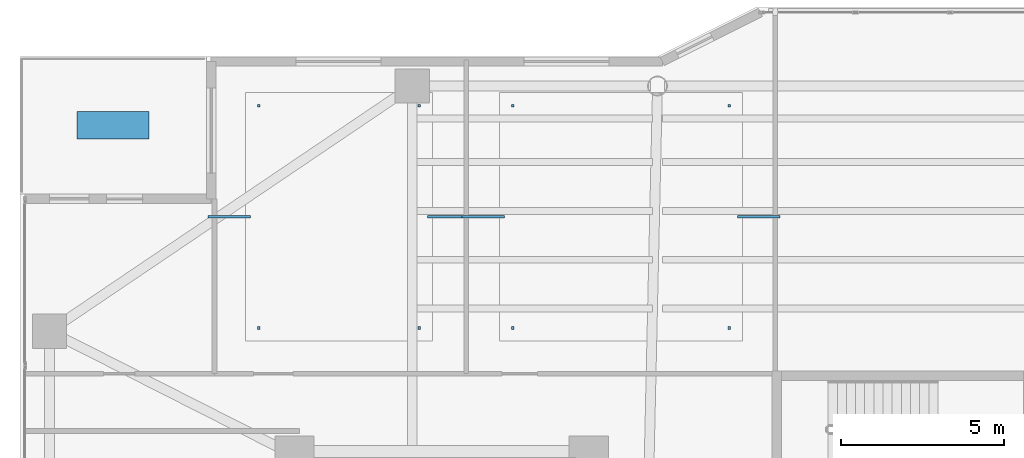
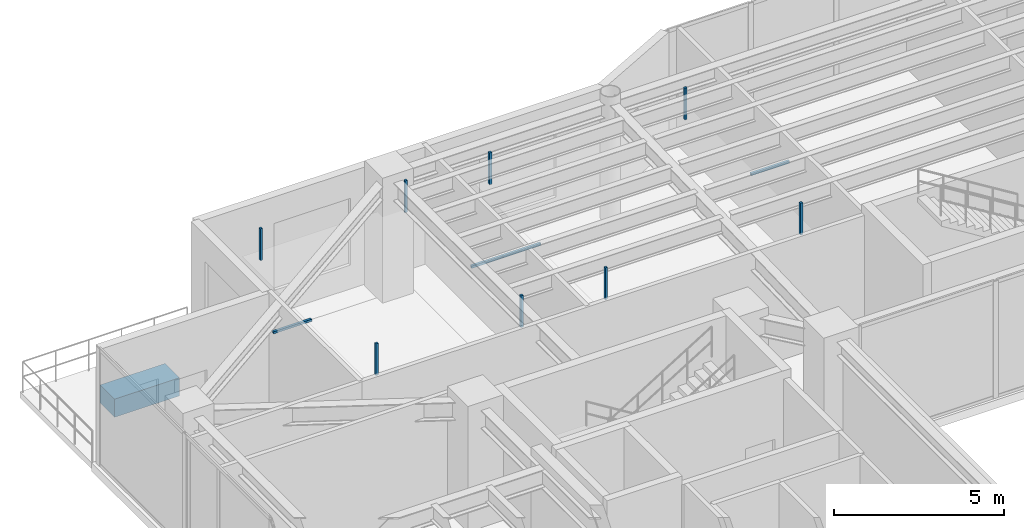
# One storey, part 31 of 37: 13 discrete accessories.
"""IFC4 building model written with IfcOpenShell, lengths in metres."""

import ifcopenshell
import ifcopenshell.guid

model = None  # the IFC model being written
_history = None  # IfcOwnerHistory: only IFC2X3 demands one
_inside = {}  # id of a spatial element -> (the spatial element, [elements in it])
_under = {}  # id of a project, library or spatial element -> (it, [spatial elements below it])
_declared = {}  # id of a project -> (the project, [libraries it declares])
_typed = {}  # id of a type object -> (the type object, [elements of that type])
_made_of = {}  # id of a material, layer set ... -> (it, [elements and type objects made of it])


def new_model(schema):
    """Start an empty IFC model of exactly this schema.

    Asked for "IFC4X3", IfcOpenShell would pick the latest addendum, in which some entities
    have other attributes; the version numbers below select the first issue.
    IFC2X3 requires an IfcOwnerHistory on every rooted entity: one is made here for all.
    """
    global model, _history
    if schema == "IFC4X3":
        model = ifcopenshell.file(schema_version=(4, 3, 0, 0))
    else:
        model = ifcopenshell.file(schema=schema)
    _inside.clear()
    _under.clear()
    _declared.clear()
    _typed.clear()
    _made_of.clear()
    _history = None
    if model.schema == "IFC2X3":
        org = make("IfcOrganization", Name="unknown")
        user = make(
            "IfcPersonAndOrganization",
            ThePerson=make("IfcPerson", FamilyName="unknown"),
            TheOrganization=org,
        )
        app = make(
            "IfcApplication",
            ApplicationDeveloper=org,
            Version="unknown",
            ApplicationFullName="unknown",
            ApplicationIdentifier="unknown",
        )
        _history = make(
            "IfcOwnerHistory",
            OwningUser=user,
            OwningApplication=app,
            ChangeAction="ADDED",
            CreationDate=0,
        )
    return model


def make(cls, **values):
    """One entity of the class cls with the attributes given. An attribute that is None is left unset."""
    return model.create_entity(
        cls, **{name: value for name, value in values.items() if value is not None}
    )


def rooted(cls, **values):
    """An entity with a GlobalId (a new one), such as an element, a storey or a relation."""
    return make(cls, GlobalId=ifcopenshell.guid.new(), OwnerHistory=_history, **values)


def si_unit(unit_type, name, prefix=None):
    """IfcSIUnit, for example si_unit("LENGTHUNIT", "METRE", prefix="MILLI")."""
    return make("IfcSIUnit", UnitType=unit_type, Prefix=prefix, Name=name)


def assignment(units):
    """IfcUnitAssignment: the units of a project."""
    return None if units is None else make("IfcUnitAssignment", Units=units)


def point(xyz):
    """IfcCartesianPoint."""
    return None if xyz is None else make("IfcCartesianPoint", Coordinates=xyz)


def direction(xyz):
    """IfcDirection."""
    return None if xyz is None else make("IfcDirection", DirectionRatios=xyz)


def frame(location, z_axis=None, x_axis=None):
    """IfcAxis2Placement3D, a coordinate frame: its origin and axes. An axis left out is left unset."""
    return make(
        "IfcAxis2Placement3D",
        Location=point(location),
        Axis=direction(z_axis),
        RefDirection=direction(x_axis),
    )


def frame_2d(location, x_axis=None):
    """IfcAxis2Placement2D, a coordinate frame in the plane: its origin and x axis."""
    return make(
        "IfcAxis2Placement2D", Location=point(location), RefDirection=direction(x_axis)
    )


def origin():
    """The frame at (0, 0, 0) with its axes left unset."""
    return frame((0.0, 0.0, 0.0))


def origin_2d():
    """The frame at (0, 0) in the plane with its x axis left unset."""
    return frame_2d((0.0, 0.0))


def place(relative_to, where):
    """IfcLocalPlacement: puts the frame where relative to a parent placement (None: the world)."""
    return make(
        "IfcLocalPlacement", PlacementRelTo=relative_to, RelativePlacement=where
    )


def context(
    kind, dimensions, precision=None, world=None, true_north=None, identifier=None
):
    """IfcGeometricRepresentationContext, for example the 3D "Model" context."""
    return make(
        "IfcGeometricRepresentationContext",
        ContextIdentifier=identifier,
        ContextType=kind,
        CoordinateSpaceDimension=dimensions,
        Precision=precision,
        WorldCoordinateSystem=world,
        TrueNorth=true_north,
    )


def subcontext(parent, identifier, kind, view, scale=None):
    """IfcGeometricRepresentationSubContext, for example "Body" below "Model"."""
    return make(
        "IfcGeometricRepresentationSubContext",
        ContextIdentifier=identifier,
        ContextType=kind,
        ParentContext=parent,
        TargetScale=scale,
        TargetView=view,
    )


def project(units=None, contexts=None):
    """IfcProject with its units and contexts."""
    return rooted(
        "IfcProject",
        Name="project",
        RepresentationContexts=contexts,
        UnitsInContext=assignment(units),
    )


def spatial(cls, under=None, at=None, **own):
    """A site, building, storey or space (cls), placed at a placement, below another one or the project."""
    s = rooted(cls, ObjectPlacement=at, **own)
    if under is not None:
        _under.setdefault(under.id(), (under, []))[1].append(s)
    return s


def profile(cls, at=None, kind="AREA", **sizes):
    """A parametric profile (cls). Its sizes go by their IFC names, for example OverallWidth=200.0."""
    return make(cls, ProfileType=kind, Position=at, **sizes)


def rectangle(**sizes):
    """IfcRectangleProfileDef."""
    return profile("IfcRectangleProfileDef", **sizes)


def extrude(swept, where, along, depth):
    """IfcExtrudedAreaSolid: the profile swept, set in the frame where, extruded along a direction by depth."""
    return make(
        "IfcExtrudedAreaSolid",
        SweptArea=swept,
        Position=where,
        ExtrudedDirection=direction(along),
        Depth=depth,
    )


def shape(context_of_items, identifier, shape_type, items):
    """IfcShapeRepresentation: the items that make up one representation, for example the "Body"."""
    return make(
        "IfcShapeRepresentation",
        ContextOfItems=context_of_items,
        RepresentationIdentifier=identifier,
        RepresentationType=shape_type,
        Items=items,
    )


def material(Name=None, Category=None):
    """IfcMaterial."""
    return make("IfcMaterial", Name=Name, Category=Category)


def made_of(thing, what):
    """Note that an element or type object is made of a material, layer set ...; save() writes the relation."""
    if what is not None:
        _made_of.setdefault(what.id(), (what, []))[1].append(thing)
    return thing


def type_object(cls, material=None, **own):
    """A type object (cls), such as IfcWallType, which elements share."""
    return made_of(rooted(cls, **own), material)


def element(
    cls,
    number,
    at=None,
    inside=None,
    cuts=None,
    type_object=None,
    material=None,
    context=None,
    identifier="Body",
    shape_type=None,
    held_by="IfcProductDefinitionShape",
    body=None,
    shapes=None,
    **own,
):
    """One element of the class cls, such as IfcWall. Its Tag is "e" and its number.

    at: its placement. inside: the storey or other place that contains it. cuts: it is an
    opening in that element (IfcRelVoidsElement). A single representation is given by context,
    identifier, shape_type and body (its items); several are given by shapes. held_by: the class
    of the entity that holds the representations. save() writes the other relations.
    """
    e = rooted(cls, Tag="e%d" % number, ObjectPlacement=at, **own)
    if body is not None:
        shapes = [shape(context, identifier, shape_type, body)]
    if shapes is not None:
        e.Representation = make(held_by, Representations=shapes)
    if inside is not None:
        _inside.setdefault(inside.id(), (inside, []))[1].append(e)
    if cuts is not None:
        rooted(
            "IfcRelVoidsElement", RelatingBuildingElement=cuts, RelatedOpeningElement=e
        )
    if type_object is not None:
        _typed.setdefault(type_object.id(), (type_object, []))[1].append(e)
    return made_of(e, material)


def aggregate(whole, parts):
    """IfcRelAggregates: a whole, such as a stair, and the parts it consists of."""
    return rooted("IfcRelAggregates", RelatingObject=whole, RelatedObjects=parts)


def save(model, path):
    """Write the relations noted so far, then the file.

    IfcRelAggregates (storeys below a building ...), IfcRelContainedInSpatialStructure (elements
    in a storey), IfcRelDefinesByType, IfcRelAssociatesMaterial and IfcRelDeclares: one each for
    every whole, place, type object, material and project.
    """
    for whole, parts in _under.values():
        aggregate(whole, parts)
    for where, things in _inside.values():
        rooted(
            "IfcRelContainedInSpatialStructure",
            RelatedElements=things,
            RelatingStructure=where,
        )
    for kind, things in _typed.values():
        rooted("IfcRelDefinesByType", RelatedObjects=things, RelatingType=kind)
    for what, things in _made_of.values():
        rooted("IfcRelAssociatesMaterial", RelatedObjects=things, RelatingMaterial=what)
    for by, libraries in _declared.values():
        rooted("IfcRelDeclares", RelatingContext=by, RelatedDefinitions=libraries)
    model.write(path)


model = new_model("IFC4")

# Units and contexts
model_context = context("Model", 3, precision=1e-05, world=origin(), true_north=direction((0.0, 1.0)))
body_context = subcontext(model_context, "Body", "Model", "MODEL_VIEW")
ifc_project = project(units=[si_unit("LENGTHUNIT", "METRE"), si_unit("AREAUNIT", "SQUARE_METRE"), si_unit("VOLUMEUNIT", "CUBIC_METRE"), si_unit("PLANEANGLEUNIT", "RADIAN"), si_unit("MASSUNIT", "GRAM", prefix="KILO")], contexts=[model_context])

# Site, building, storey
site_placement = place(None, origin())
site = spatial("IfcSite", under=ifc_project, at=site_placement, CompositionType="ELEMENT")
building_placement = place(site_placement, origin())
building = spatial("IfcBuilding", under=site, at=building_placement, Name="Tarnavaz Court Tower", CompositionType="ELEMENT")
storey_placement = place(building_placement, frame((0.0, 0.0, 118.5)))
storey = spatial("IfcBuildingStorey", under=building, at=storey_placement, Name="L32", CompositionType="ELEMENT", Elevation=118.5)

# Discrete accessories
ifc_material_1 = material(Name="Anodised Aluminium 6063-T6", Category="aluminium")
discrete_accessory_type_1 = type_object("IfcDiscreteAccessoryType", Name="DA-BRKT-ALU", PredefinedType="BRACKET", material=ifc_material_1)
for number, where, z_axis, x_axis, name in (
    (1, (-19.699951171875, 13.89990234375, 3.08984375), (0.0, 0.0, 1.0), (1.0, 0.0, 0.0), "L32 Ceiling Suspension Hanger Bracket 01-1"),
    (2, (-14.784912109375, 13.89990234375, 3.08984375), (0.0, 0.0, 1.0), (1.0, 0.0, 0.0), "L32 Ceiling Suspension Hanger Bracket 01-2"),
    (3, (-14.784912109375, 20.699951171875, 3.08984375), (0.0, 0.0, 1.0), (1.0, 0.0, 0.0), "L32 Ceiling Suspension Hanger Bracket 01-3"),
    (4, (-19.699951171875, 20.699951171875, 3.08984375), (0.0, 0.0, 1.0), (1.0, 0.0, 0.0), "L32 Ceiling Suspension Hanger Bracket 01-4"),
):
    element("IfcDiscreteAccessory", number, at=place(storey_placement, frame(where, z_axis=z_axis, x_axis=x_axis)), inside=storey, type_object=discrete_accessory_type_1, Name=name, PredefinedType="BRACKET", context=body_context, shape_type="SweptSolid", body=[
        extrude(rectangle(XDim=0.080078125, YDim=0.080078125, at=origin_2d()), origin(), (0.0, 0.0, 1.0), 1.139892578125),
    ])
for number, where, z_axis, x_axis, name in (
    (5, (-20.60009765625, 17.300048828125, 3.052490234375), (0.0, 0.0, 1.0), (1.0, 0.0, 0.0), "L32 Ceiling Perimeter Wall-Tie Bracket 01-1"),
    (6, (-13.885009765625, 17.300048828125, 3.052490234375), (0.0, 0.0, 1.0), (1.0, 0.0, 0.0), "L32 Ceiling Perimeter Wall-Tie Bracket 01-2"),
):
    element("IfcDiscreteAccessory", number, at=place(storey_placement, frame(where, z_axis=z_axis, x_axis=x_axis)), inside=storey, type_object=discrete_accessory_type_1, Name=name, PredefinedType="BRACKET", context=body_context, shape_type="SweptSolid", body=[
        extrude(rectangle(XDim=1.300048828125, YDim=0.080078125, at=origin_2d()), origin(), (0.0, 0.0, 1.0), 0.080078125),
    ])
for number, where, z_axis, x_axis, name in (
    (7, (-11.925048828125, 13.89990234375, 3.08984375), (0.0, 0.0, 1.0), (1.0, 0.0, 0.0), "L32 Ceiling Suspension Hanger Bracket 02-1"),
    (8, (-5.300048828125, 13.89990234375, 3.08984375), (0.0, 0.0, 1.0), (1.0, 0.0, 0.0), "L32 Ceiling Suspension Hanger Bracket 02-2"),
    (9, (-5.300048828125, 20.699951171875, 3.08984375), (0.0, 0.0, 1.0), (1.0, 0.0, 0.0), "L32 Ceiling Suspension Hanger Bracket 02-3"),
    (10, (-11.925048828125, 20.699951171875, 3.08984375), (0.0, 0.0, 1.0), (1.0, 0.0, 0.0), "L32 Ceiling Suspension Hanger Bracket 02-4"),
):
    element("IfcDiscreteAccessory", number, at=place(storey_placement, frame(where, z_axis=z_axis, x_axis=x_axis)), inside=storey, type_object=discrete_accessory_type_1, Name=name, PredefinedType="BRACKET", context=body_context, shape_type="SweptSolid", body=[
        extrude(rectangle(XDim=0.080078125, YDim=0.080078125, at=origin_2d()), origin(), (0.0, 0.0, 1.0), 1.139892578125),
    ])
for number, where, z_axis, x_axis, name in (
    (11, (-12.824951171875, 17.300048828125, 3.052490234375), (0.0, 0.0, 1.0), (1.0, 0.0, 0.0), "L32 Ceiling Perimeter Wall-Tie Bracket 02-1"),
    (12, (-4.39990234375, 17.300048828125, 3.052490234375), (0.0, 0.0, 1.0), (1.0, 0.0, 0.0), "L32 Ceiling Perimeter Wall-Tie Bracket 02-2"),
):
    element("IfcDiscreteAccessory", number, at=place(storey_placement, frame(where, z_axis=z_axis, x_axis=x_axis)), inside=storey, type_object=discrete_accessory_type_1, Name=name, PredefinedType="BRACKET", context=body_context, shape_type="SweptSolid", body=[
        extrude(rectangle(XDim=1.300048828125, YDim=0.080078125, at=origin_2d()), origin(), (0.0, 0.0, 1.0), 0.080078125),
    ])
ifc_material_2 = material(Name="Terracotta Architectural Planter Trough", Category="masonry")
discrete_accessory_type_2 = type_object("IfcDiscreteAccessoryType", Name="DA-PLANTER-TC", PredefinedType="USERDEFINED", material=ifc_material_2)
discrete_accessory_placement = place(storey_placement, frame((-24.14990234375, 20.10009765625, 0.0), z_axis=(0.0, 0.0, 1.0), x_axis=(1.0, 0.0, 0.0)))
element("IfcDiscreteAccessory", 13, at=discrete_accessory_placement, inside=storey, type_object=discrete_accessory_type_2, Name="L32 Chahar-Bagh Terracotta Landscape Planter 2", ObjectType="PLANTER", PredefinedType="USERDEFINED", context=body_context, shape_type="SweptSolid", body=[
    extrude(rectangle(XDim=2.199951171875, YDim=0.85009765625, at=origin_2d()), origin(), (0.0, 0.0, 1.0), 0.64990234375),
])

save(model, "model.ifc")
